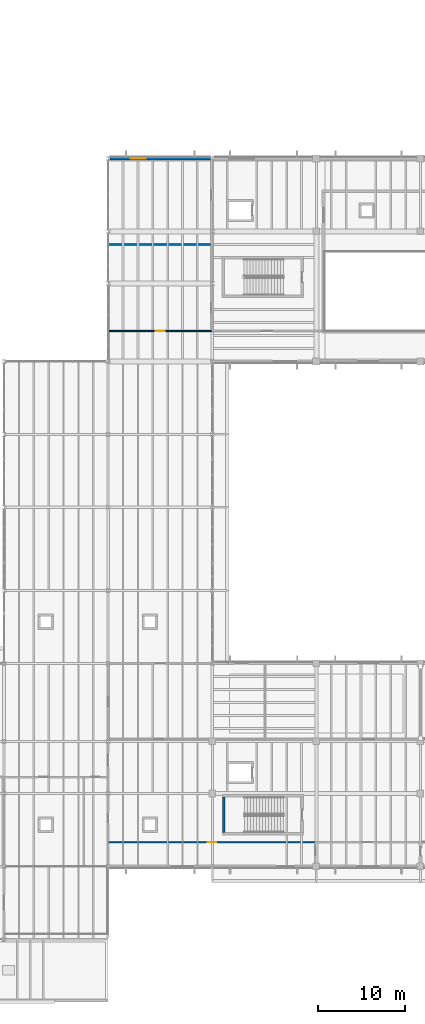
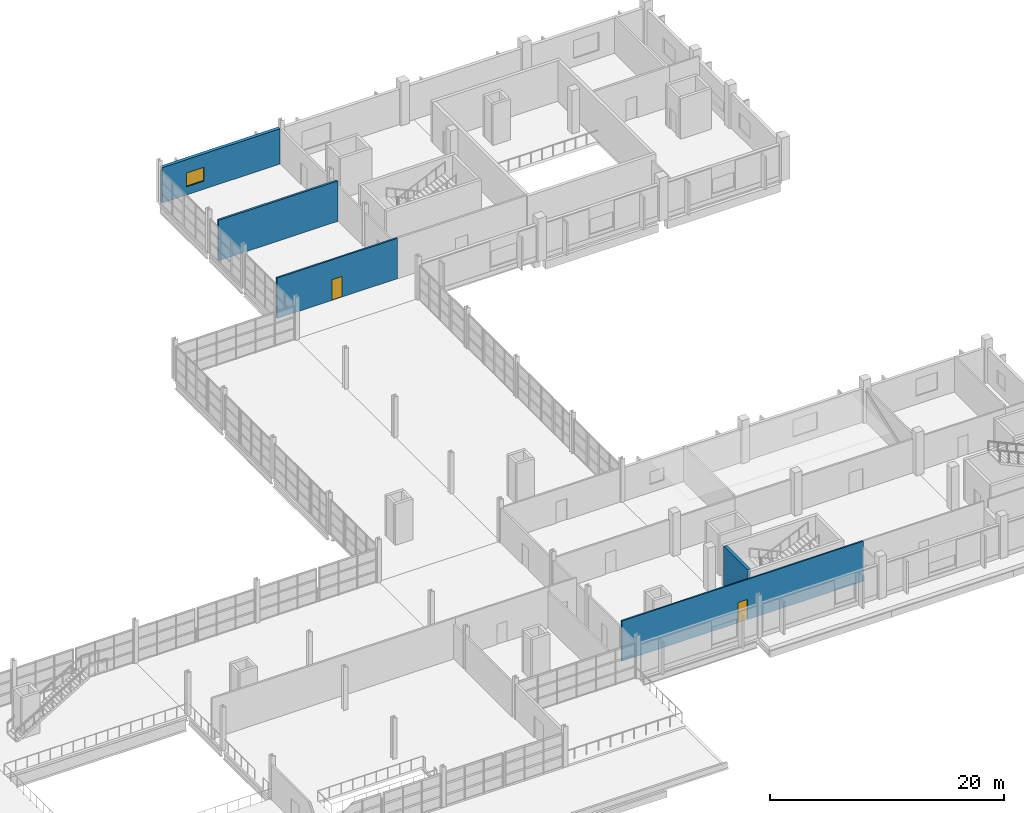
# One storey, part 95 of 114: 5 walls, 2 doors, 1 window, 3 openings.
"""IFC4 building model written with IfcOpenShell, lengths in metres."""

from ifc_helpers import new_model, si_unit, direction, frame, frame_2d, origin, place, context, subcontext, project, spatial, rectangle, extrude, material, layer, layer_set, type_object, element, fill, save


model = new_model("IFC4")

# Units and contexts
model_context = context("Model", 3, precision=1e-05, world=origin(), true_north=direction((0.0, 1.0)))
body_context = subcontext(model_context, "Body", "Model", "MODEL_VIEW")
ifc_project = project(units=[si_unit("LENGTHUNIT", "METRE"), si_unit("AREAUNIT", "SQUARE_METRE"), si_unit("VOLUMEUNIT", "CUBIC_METRE"), si_unit("PLANEANGLEUNIT", "RADIAN"), si_unit("MASSUNIT", "GRAM", prefix="KILO")], contexts=[model_context])

# Site, building, storey
site_placement = place(None, origin())
site = spatial("IfcSite", under=ifc_project, at=site_placement, CompositionType="ELEMENT")
building_placement = place(site_placement, origin())
building = spatial("IfcBuilding", under=site, at=building_placement, Name="Kelmvaro Bay Concert Hall", CompositionType="ELEMENT")
storey_placement = place(building_placement, frame((0.0, 0.0, 4.800048828125)))
storey = spatial("IfcBuildingStorey", under=building, at=storey_placement, Name="L01", CompositionType="ELEMENT", Elevation=4.800048828125)

# Wall, opening, window
ifc_material_1 = material(Name="Precast Concrete C40/50", Category="concrete")
ifc_layer_1 = layer(ifc_material_1, 0.320068359375)
ifc_layer_set_1 = layer_set([ifc_layer_1], Name="Precast Concrete C40/50")
wall_type_1 = type_object("IfcWallType", Name="Chamber Pavilion Precast Wall 320", PredefinedType="SOLIDWALL", material=ifc_layer_set_1)
wall_1_placement = place(storey_placement, frame((120.200439453125, 97.199951171875, 0.0), z_axis=(0.0, 0.0, 1.0), x_axis=(1.0, 0.0, 0.0)))
wall_1 = element("IfcWall", 1, at=wall_1_placement, inside=storey, type_object=wall_type_1, Name="L01 Exterior Wall EW-L01-0126", PredefinedType="SOLIDWALL", context=body_context, shape_type="SweptSolid", body=[
    extrude(rectangle(XDim=11.59912109375, YDim=0.320068359375, at=frame_2d((5.799560546875, 0.0))), origin(), (0.0, 0.0, 1.0), 3.683837890625),
])
opening_1_placement = place(wall_1_placement, frame((2.372802734375, 0.0, 0.85009765625)))
opening_1 = element("IfcOpeningElement", 2, at=opening_1_placement, cuts=wall_1, Name="Opening WN-20", PredefinedType="OPENING", context=body_context, shape_type="SweptSolid", body=[
    extrude(rectangle(XDim=1.75, YDim=1.449951171875, at=frame_2d((0.875, 0.72509765625))), frame((0.0, 0.169921875, 0.0), z_axis=(0.0, -1.0, 0.0), x_axis=(1.0, 0.0, 0.0)), (0.0, 0.0, 1.0), 0.340087890625),
])
ifc_material_2 = material(Name="Thermally Broken Aluminium and Acoustic Low-E Glass", Category="aluminium")
window_type = type_object("IfcWindowType", Name="Media Edit Suite Window 1750x1450", PartitioningType="SINGLE_PANEL", PredefinedType="WINDOW", material=ifc_material_2)
window_placement = place(opening_1_placement, origin())
window = element("IfcWindow", 3, at=window_placement, inside=storey, type_object=window_type, Name="L01 Facade Window WN-L01-0049", OverallHeight=1.449951171875, OverallWidth=1.75, PartitioningType="SINGLE_PANEL", PredefinedType="WINDOW", context=body_context, shape_type="SweptSolid", body=[
    extrude(rectangle(XDim=1.75, YDim=1.449951171875, at=frame_2d((0.875, 0.72509765625))), frame((0.0, 0.030029296875, 0.0), z_axis=(0.0, -1.0, 0.0), x_axis=(1.0, 0.0, 0.0)), (0.0, 0.0, 1.0), 0.06005859375),
])
fill(opening_1, window)

# Wall
ifc_material_3 = material(Name="Acoustic Gypsum Board on Galvanised Steel Studs", Category="steel")
ifc_layer_2 = layer(ifc_material_3, 0.199951171875)
ifc_layer_set_2 = layer_set([ifc_layer_2], Name="Acoustic Gypsum Board on Galvanised Steel Studs")
wall_type_2 = type_object("IfcWallType", Name="Double-Stud Acoustic Studio Partition 200", PredefinedType="PARTITIONING", material=ifc_layer_set_2)
wall_2_placement = place(storey_placement, frame((120.050048828125, 87.280029296875, 0.0), z_axis=(0.0, 0.0, 1.0), x_axis=(1.0, 0.0, 0.0)))
element("IfcWall", 4, at=wall_2_placement, inside=storey, type_object=wall_type_2, Name="L01 Interior Partition PT-L01-0152", PredefinedType="PARTITIONING", context=body_context, shape_type="SweptSolid", body=[
    extrude(rectangle(XDim=11.760009765625, YDim=0.199951171875, at=frame_2d((5.8798828125, 0.0))), origin(), (0.0, 0.0, 1.0), 4.219970703125),
])

# Wall, opening, door
ifc_material_4 = material(Name="Acoustic Gypsum Board on Galvanised Steel Studs", Category="steel")
ifc_layer_3 = layer(ifc_material_4, 0.139892578125)
ifc_layer_set_3 = layer_set([ifc_layer_3], Name="Acoustic Gypsum Board on Galvanised Steel Studs")
wall_type_3 = type_object("IfcWallType", Name="Dressing Suite Acoustic Partition 140", PredefinedType="PARTITIONING", material=ifc_layer_set_3)
wall_3_placement = place(storey_placement, frame((120.050048828125, 18.3798828125, 0.0), z_axis=(0.0, 0.0, 1.0), x_axis=(1.0, 0.0, 0.0)))
wall_3 = element("IfcWall", 5, at=wall_3_placement, inside=storey, type_object=wall_type_3, Name="L01 Interior Partition PT-L01-0177", PredefinedType="PARTITIONING", context=body_context, shape_type="SweptSolid", body=[
    extrude(rectangle(XDim=23.8349609375, YDim=0.139892578125, at=frame_2d((11.91748046875, 0.0))), origin(), (0.0, 0.0, 1.0), 4.199951171875),
])
opening_2_placement = place(wall_3_placement, frame((11.4423828125, 0.0, 0.0)))
opening_2 = element("IfcOpeningElement", 6, at=opening_2_placement, cuts=wall_3, Name="Opening ID-DR1", PredefinedType="OPENING", context=body_context, shape_type="SweptSolid", body=[
    extrude(rectangle(XDim=0.949951171875, YDim=2.1201171875, at=frame_2d((0.47509765625, 1.06005859375))), frame((0.0, 0.079833984375, 0.0), z_axis=(0.0, -1.0, 0.0), x_axis=(1.0, 0.0, 0.0)), (0.0, 0.0, 1.0), 0.159912109375),
])
ifc_material_5 = material(Name="Stained Maple Solid Core Wood", Category="wood")
door_type_1 = type_object("IfcDoorType", Name="Dressing Suite Entrance Door 950x2120", OperationType="NOTDEFINED", PredefinedType="DOOR", material=ifc_material_5)
door_1_placement = place(opening_2_placement, origin())
door_1 = element("IfcDoor", 7, at=door_1_placement, inside=storey, type_object=door_type_1, Name="L01 Interior Door DR-INT-L01-0107", OperationType="SINGLE_SWING_LEFT", OverallHeight=2.1201171875, OverallWidth=0.949951171875, PredefinedType="DOOR", context=body_context, shape_type="SweptSolid", body=[
    extrude(rectangle(XDim=0.949951171875, YDim=2.1201171875, at=frame_2d((0.47509765625, 1.06005859375))), frame((0.0, 0.02490234375, 0.0), z_axis=(0.0, -1.0, 0.0), x_axis=(1.0, 0.0, 0.0)), (0.0, 0.0, 1.0), 0.050048828125),
])
fill(opening_2, door_1)

ifc_material_6 = material(Name="Acoustic Gypsum Board on Galvanised Steel Studs", Category="steel")
ifc_layer_4 = layer(ifc_material_6, 0.159912109375)
ifc_layer_set_4 = layer_set([ifc_layer_4], Name="Acoustic Gypsum Board on Galvanised Steel Studs")
wall_type_4 = type_object("IfcWallType", Name="Practice Room Acoustic Partition 160", PredefinedType="PARTITIONING", material=ifc_layer_set_4)
wall_4_placement = place(storey_placement, frame((120.050048828125, 77.320068359375, 0.0), z_axis=(0.0, 0.0, 1.0), x_axis=(1.0, 0.0, 0.0)))
wall_4 = element("IfcWall", 8, at=wall_4_placement, inside=storey, type_object=wall_type_4, Name="L01 Interior Partition PT-L01-0146", PredefinedType="PARTITIONING", context=body_context, shape_type="SweptSolid", body=[
    extrude(rectangle(XDim=11.89990234375, YDim=0.159912109375, at=frame_2d((5.949951171875, 0.0))), origin(), (0.0, 0.0, 1.0), 4.219970703125),
])
opening_3_placement = place(wall_4_placement, frame((5.449951171875, 0.0, 0.0)))
opening_3 = element("IfcOpeningElement", 9, at=opening_3_placement, cuts=wall_4, Name="Opening ID-PR1", PredefinedType="OPENING", context=body_context, shape_type="SweptSolid", body=[
    extrude(rectangle(XDim=1.0, YDim=2.159912109375, at=frame_2d((0.5, 1.080078125))), frame((0.0, 0.08984375, 0.0), z_axis=(0.0, -1.0, 0.0), x_axis=(1.0, 0.0, 0.0)), (0.0, 0.0, 1.0), 0.179931640625),
])
ifc_material_7 = material(Name="Solid White Oak Acoustic Leaf")
door_type_2 = type_object("IfcDoorType", Name="Practice Studio Acoustic Door 1000x2160", OperationType="NOTDEFINED", PredefinedType="DOOR", material=ifc_material_7)
door_2_placement = place(opening_3_placement, origin())
door_2 = element("IfcDoor", 10, at=door_2_placement, inside=storey, type_object=door_type_2, Name="L01 Interior Door DR-INT-L01-0089", OperationType="SINGLE_SWING_LEFT", OverallHeight=2.159912109375, OverallWidth=1.0, PredefinedType="DOOR", context=body_context, shape_type="SweptSolid", body=[
    extrude(rectangle(XDim=1.0, YDim=2.159912109375, at=frame_2d((0.5, 1.080078125))), frame((0.0, 0.02490234375, 0.0), z_axis=(0.0, -1.0, 0.0), x_axis=(1.0, 0.0, 0.0)), (0.0, 0.0, 1.0), 0.050048828125),
])
fill(opening_3, door_2)

# Wall
ifc_material_8 = material(Name="Concrete C40/50", Category="concrete")
ifc_layer_5 = layer(ifc_material_8, 0.2900390625)
ifc_layer_set_5 = layer_set([ifc_layer_5], Name="Concrete C40/50")
wall_type_5 = type_object("IfcWallType", Name="Stair and Lift Core Shear Wall 290", PredefinedType="SHEAR", material=ifc_layer_set_5)
wall_5_placement = place(storey_placement, frame((133.304931640625, 19.489990234375, 0.0), z_axis=(0.0, 0.0, 1.0), x_axis=(0.0, 1.0, 0.0)))
element("IfcWall", 11, at=wall_5_placement, inside=storey, type_object=wall_type_5, Name="L01 ST-05 Core Shear Wall W", PredefinedType="SHEAR", context=body_context, shape_type="SweptSolid", body=[
    extrude(rectangle(XDim=4.110107421875, YDim=0.2900390625, at=frame_2d((2.05517578125, 0.0))), origin(), (0.0, 0.0, 1.0), 4.219970703125),
])

save(model, "model.ifc")
